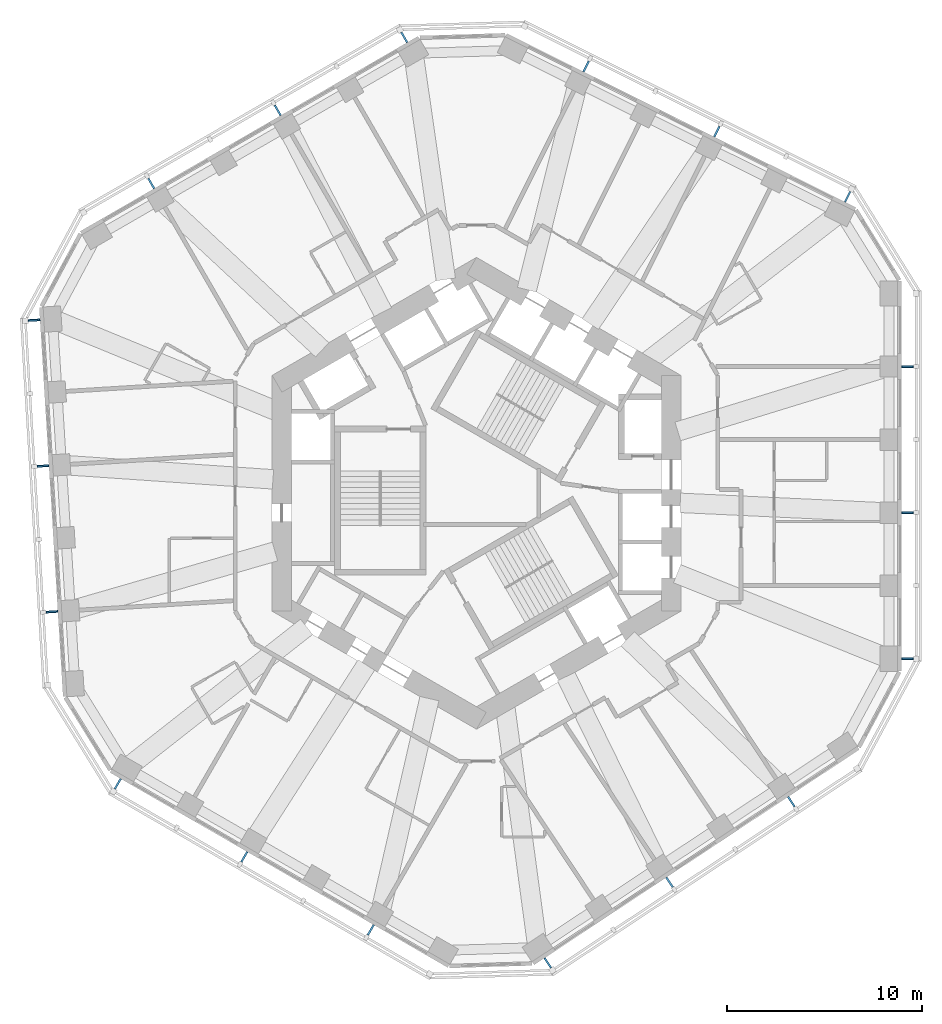
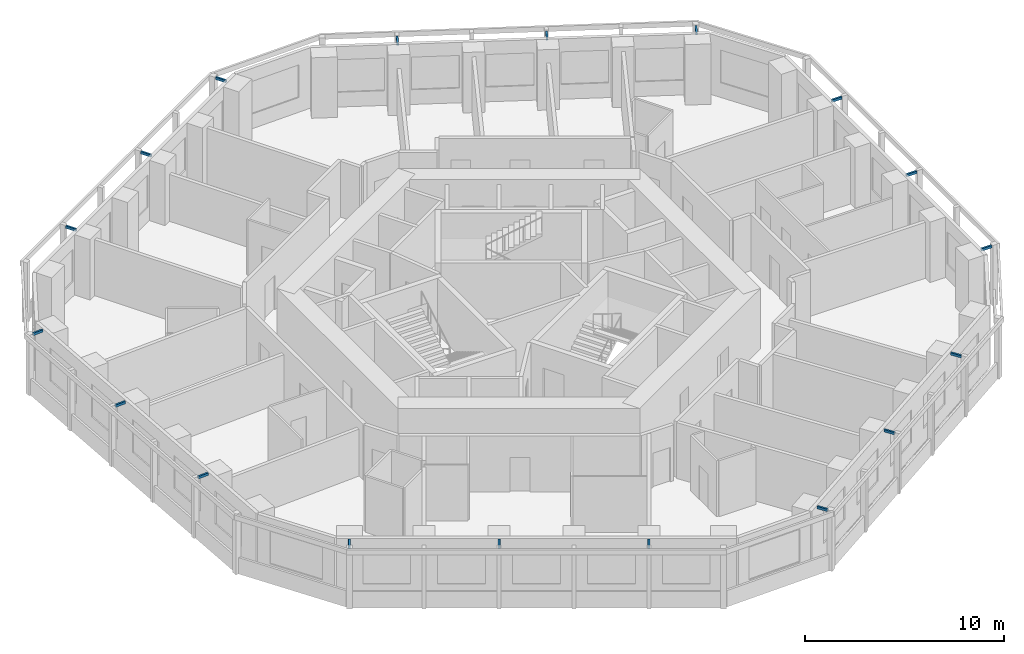
# One storey, part 10 of 11: 18 discrete accessories.
"""IFC4 building model written with IfcOpenShell, lengths in metres."""

from ifc_helpers import new_model, si_unit, direction, frame, origin, origin_2d, place, context, subcontext, project, spatial, rectangle, extrude, material, type_object, element, save


model = new_model("IFC4")

# Units and contexts
model_context = context("Model", 3, precision=1e-05, world=origin(), true_north=direction((0.0, 1.0)))
body_context = subcontext(model_context, "Body", "Model", "MODEL_VIEW")
ifc_project = project(units=[si_unit("LENGTHUNIT", "METRE"), si_unit("AREAUNIT", "SQUARE_METRE"), si_unit("VOLUMEUNIT", "CUBIC_METRE"), si_unit("PLANEANGLEUNIT", "RADIAN"), si_unit("MASSUNIT", "GRAM", prefix="KILO")], contexts=[model_context])

# Site, building, storey
site_placement = place(None, origin())
site = spatial("IfcSite", under=ifc_project, at=site_placement, CompositionType="ELEMENT")
building_placement = place(site_placement, origin())
building = spatial("IfcBuilding", under=site, at=building_placement, Name="Vanh Sen Convention Tower", CompositionType="ELEMENT")
storey_placement = place(building_placement, frame((0.0, 0.0, 131.800048828125)))
storey = spatial("IfcBuildingStorey", under=building, at=storey_placement, Name="L32", CompositionType="ELEMENT", Elevation=131.800048828125)

# Discrete accessories
ifc_material = material(Name="Steel S355", Category="steel")
discrete_accessory_type = type_object("IfcDiscreteAccessoryType", Name="Fin bracket 100 x 150", PredefinedType="BRACKET", material=ifc_material)
for number, where, z_axis, x_axis, name in (
    (1, (22.14990234375, -8.5009765625, 3.5), (0.0, 0.0, 1.0), (1.0, 0.0, 0.0), "Fin bracket E-1 L32"),
    (2, (22.14990234375, -0.992919921875, 3.5), (0.0, 0.0, 1.0), (1.0, 0.0, 0.0), "Fin bracket E-3 L32"),
    (3, (22.14990234375, 6.515380859375, 3.5), (0.0, 0.0, 1.0), (1.0, 0.0, 0.0), "Fin bracket E-5 L32"),
    (4, (19.073974609375, 15.240478515625, 3.5), (0.0, 0.0, 1.0), (0.44619781311, 0.894934361602, 0.0), "Fin bracket NE-1 L32"),
    (5, (12.3544921875, 18.5908203125, 3.5), (0.0, 0.0, 1.0), (0.44619781311, 0.894934361602, 0.0), "Fin bracket NE-3 L32"),
    (6, (5.635009765625, 21.94091796875, 3.5), (0.0, 0.0, 1.0), (0.44619781311, 0.894934361602, 0.0), "Fin bracket NE-5 L32"),
    (7, (-3.712890625, 23.432861328125, 3.5), (0.0, 0.0, 1.0), (-0.5, 0.866025403784, 0.0), "Fin bracket NW-1 L32"),
    (8, (-10.215087890625, 19.6787109375, 3.5), (0.0, 0.0, 1.0), (-0.5, 0.866025403784, 0.0), "Fin bracket NW-3 L32"),
    (9, (-16.717529296875, 15.9248046875, 3.5), (0.0, 0.0, 1.0), (-0.5, 0.866025403784, 0.0), "Fin bracket NW-5 L32"),
    (10, (-22.735595703125, 8.898193359375, 3.5), (0.0, 0.0, 1.0), (-0.998134798422, -0.061048539535, 0.0), "Fin bracket W-1 L32"),
    (11, (-22.277099609375, 1.40380859375, 3.5), (0.0, 0.0, 1.0), (-0.998134798422, -0.061048539535, 0.0), "Fin bracket W-3 L32"),
    (12, (-21.81884765625, -6.09033203125, 3.5), (0.0, 0.0, 1.0), (-0.998134798422, -0.061048539535, 0.0), "Fin bracket W-5 L32"),
    (13, (-18.43701171875, -14.931884765625, 3.5), (0.0, 0.0, 1.0), (-0.5, -0.866025403784, 0.0), "Fin bracket SW-1 L32"),
    (14, (-11.934814453125, -18.68603515625, 3.5), (0.0, 0.0, 1.0), (-0.5, -0.866025403784, 0.0), "Fin bracket SW-3 L32"),
    (15, (-5.4326171875, -22.440185546875, 3.5), (0.0, 0.0, 1.0), (-0.5, -0.866025403784, 0.0), "Fin bracket SW-5 L32"),
    (16, (3.66162109375, -24.138671875, 3.5), (0.0, 0.0, 1.0), (0.551936985312, -0.833885822067, 0.0), "Fin bracket SE-1 L32"),
    (17, (9.922607421875, -19.99462890625, 3.5), (0.0, 0.0, 1.0), (0.551936985312, -0.833885822067, 0.0), "Fin bracket SE-3 L32"),
    (18, (16.18359375, -15.8505859375, 3.5), (0.0, 0.0, 1.0), (0.551936985312, -0.833885822067, 0.0), "Fin bracket SE-5 L32"),
):
    element("IfcDiscreteAccessory", number, at=place(storey_placement, frame(where, z_axis=z_axis, x_axis=x_axis)), inside=storey, type_object=discrete_accessory_type, Name=name, PredefinedType="BRACKET", context=body_context, shape_type="SweptSolid", body=[
        extrude(rectangle(XDim=0.60009765625, YDim=0.10009765625, at=origin_2d()), origin(), (0.0, 0.0, 1.0), 0.14990234375),
    ])

save(model, "model.ifc")
